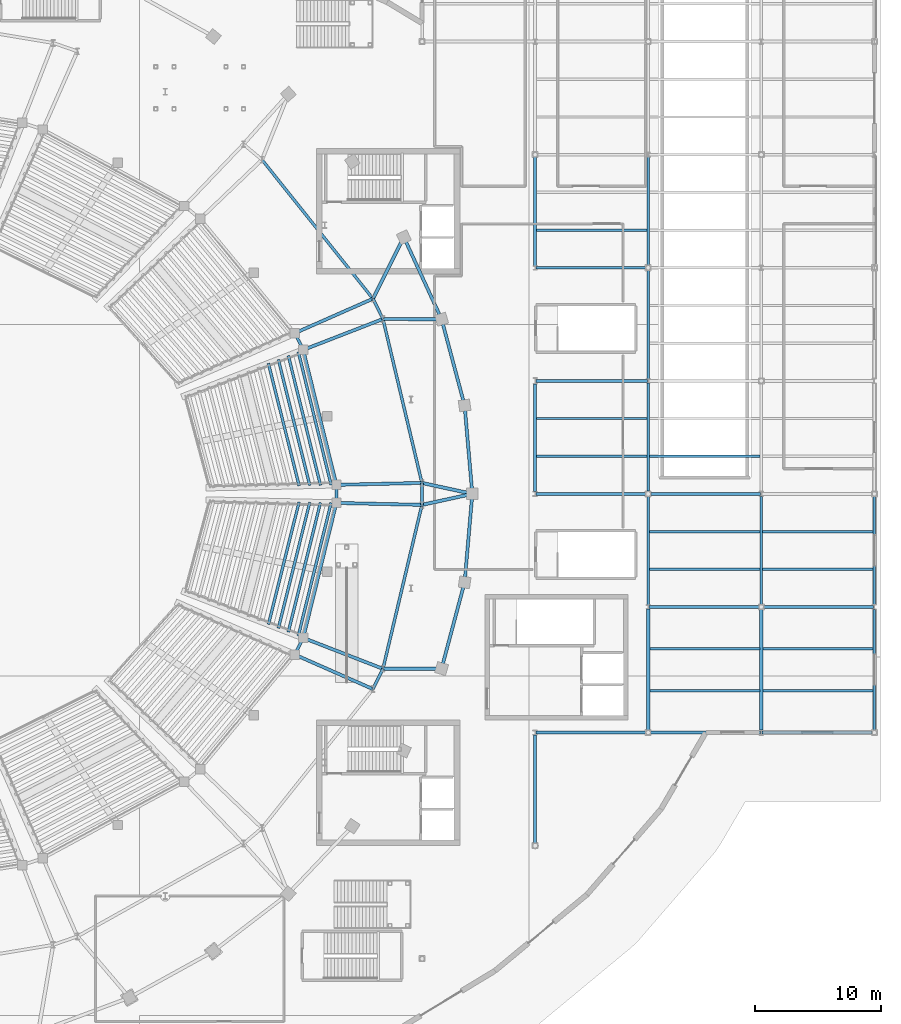
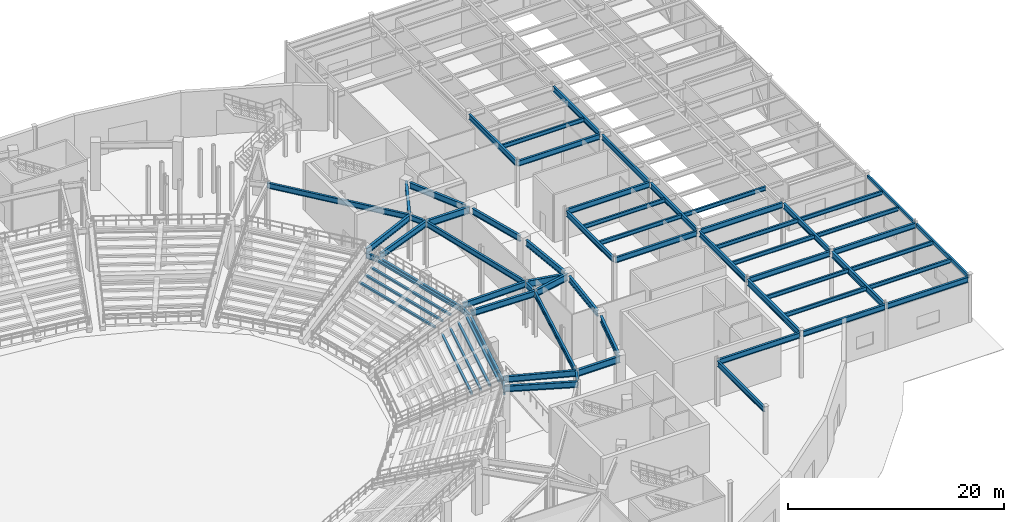
# One storey, part 38 of 79: 68 beams.
"""IFC4 building model written with IfcOpenShell, lengths in metres."""

import ifcopenshell
import ifcopenshell.guid

model = None  # the IFC model being written
_history = None  # IfcOwnerHistory: only IFC2X3 demands one
_inside = {}  # id of a spatial element -> (the spatial element, [elements in it])
_under = {}  # id of a project, library or spatial element -> (it, [spatial elements below it])
_declared = {}  # id of a project -> (the project, [libraries it declares])
_typed = {}  # id of a type object -> (the type object, [elements of that type])
_made_of = {}  # id of a material, layer set ... -> (it, [elements and type objects made of it])


def new_model(schema):
    """Start an empty IFC model of exactly this schema.

    Asked for "IFC4X3", IfcOpenShell would pick the latest addendum, in which some entities
    have other attributes; the version numbers below select the first issue.
    IFC2X3 requires an IfcOwnerHistory on every rooted entity: one is made here for all.
    """
    global model, _history
    if schema == "IFC4X3":
        model = ifcopenshell.file(schema_version=(4, 3, 0, 0))
    else:
        model = ifcopenshell.file(schema=schema)
    _inside.clear()
    _under.clear()
    _declared.clear()
    _typed.clear()
    _made_of.clear()
    _history = None
    if model.schema == "IFC2X3":
        org = make("IfcOrganization", Name="unknown")
        user = make(
            "IfcPersonAndOrganization",
            ThePerson=make("IfcPerson", FamilyName="unknown"),
            TheOrganization=org,
        )
        app = make(
            "IfcApplication",
            ApplicationDeveloper=org,
            Version="unknown",
            ApplicationFullName="unknown",
            ApplicationIdentifier="unknown",
        )
        _history = make(
            "IfcOwnerHistory",
            OwningUser=user,
            OwningApplication=app,
            ChangeAction="ADDED",
            CreationDate=0,
        )
    return model


def make(cls, **values):
    """One entity of the class cls with the attributes given. An attribute that is None is left unset."""
    return model.create_entity(
        cls, **{name: value for name, value in values.items() if value is not None}
    )


def rooted(cls, **values):
    """An entity with a GlobalId (a new one), such as an element, a storey or a relation."""
    return make(cls, GlobalId=ifcopenshell.guid.new(), OwnerHistory=_history, **values)


def si_unit(unit_type, name, prefix=None):
    """IfcSIUnit, for example si_unit("LENGTHUNIT", "METRE", prefix="MILLI")."""
    return make("IfcSIUnit", UnitType=unit_type, Prefix=prefix, Name=name)


def assignment(units):
    """IfcUnitAssignment: the units of a project."""
    return None if units is None else make("IfcUnitAssignment", Units=units)


def point(xyz):
    """IfcCartesianPoint."""
    return None if xyz is None else make("IfcCartesianPoint", Coordinates=xyz)


def direction(xyz):
    """IfcDirection."""
    return None if xyz is None else make("IfcDirection", DirectionRatios=xyz)


def frame(location, z_axis=None, x_axis=None):
    """IfcAxis2Placement3D, a coordinate frame: its origin and axes. An axis left out is left unset."""
    return make(
        "IfcAxis2Placement3D",
        Location=point(location),
        Axis=direction(z_axis),
        RefDirection=direction(x_axis),
    )


def frame_2d(location, x_axis=None):
    """IfcAxis2Placement2D, a coordinate frame in the plane: its origin and x axis."""
    return make(
        "IfcAxis2Placement2D", Location=point(location), RefDirection=direction(x_axis)
    )


def origin():
    """The frame at (0, 0, 0) with its axes left unset."""
    return frame((0.0, 0.0, 0.0))


def origin_2d():
    """The frame at (0, 0) in the plane with its x axis left unset."""
    return frame_2d((0.0, 0.0))


def place(relative_to, where):
    """IfcLocalPlacement: puts the frame where relative to a parent placement (None: the world)."""
    return make(
        "IfcLocalPlacement", PlacementRelTo=relative_to, RelativePlacement=where
    )


def context(
    kind, dimensions, precision=None, world=None, true_north=None, identifier=None
):
    """IfcGeometricRepresentationContext, for example the 3D "Model" context."""
    return make(
        "IfcGeometricRepresentationContext",
        ContextIdentifier=identifier,
        ContextType=kind,
        CoordinateSpaceDimension=dimensions,
        Precision=precision,
        WorldCoordinateSystem=world,
        TrueNorth=true_north,
    )


def subcontext(parent, identifier, kind, view, scale=None):
    """IfcGeometricRepresentationSubContext, for example "Body" below "Model"."""
    return make(
        "IfcGeometricRepresentationSubContext",
        ContextIdentifier=identifier,
        ContextType=kind,
        ParentContext=parent,
        TargetScale=scale,
        TargetView=view,
    )


def project(units=None, contexts=None):
    """IfcProject with its units and contexts."""
    return rooted(
        "IfcProject",
        Name="project",
        RepresentationContexts=contexts,
        UnitsInContext=assignment(units),
    )


def spatial(cls, under=None, at=None, **own):
    """A site, building, storey or space (cls), placed at a placement, below another one or the project."""
    s = rooted(cls, ObjectPlacement=at, **own)
    if under is not None:
        _under.setdefault(under.id(), (under, []))[1].append(s)
    return s


def profile(cls, at=None, kind="AREA", **sizes):
    """A parametric profile (cls). Its sizes go by their IFC names, for example OverallWidth=200.0."""
    return make(cls, ProfileType=kind, Position=at, **sizes)


def rectangle(**sizes):
    """IfcRectangleProfileDef."""
    return profile("IfcRectangleProfileDef", **sizes)


def hollow_rectangle(**sizes):
    """IfcRectangleHollowProfileDef."""
    return profile("IfcRectangleHollowProfileDef", **sizes)


def i_section(**sizes):
    """IfcIShapeProfileDef."""
    return profile("IfcIShapeProfileDef", **sizes)


def extrude(swept, where, along, depth):
    """IfcExtrudedAreaSolid: the profile swept, set in the frame where, extruded along a direction by depth."""
    return make(
        "IfcExtrudedAreaSolid",
        SweptArea=swept,
        Position=where,
        ExtrudedDirection=direction(along),
        Depth=depth,
    )


def shape(context_of_items, identifier, shape_type, items):
    """IfcShapeRepresentation: the items that make up one representation, for example the "Body"."""
    return make(
        "IfcShapeRepresentation",
        ContextOfItems=context_of_items,
        RepresentationIdentifier=identifier,
        RepresentationType=shape_type,
        Items=items,
    )


def material(Name=None, Category=None):
    """IfcMaterial."""
    return make("IfcMaterial", Name=Name, Category=Category)


def material_profile(
    of_material, cross_section, Name=None, Category=None, Priority=None
):
    """IfcMaterialProfile: a cross section and its material."""
    return make(
        "IfcMaterialProfile",
        Name=Name,
        Material=of_material,
        Profile=cross_section,
        Priority=Priority,
        Category=Category,
    )


def profile_set(profiles, Name=None, composite=None):
    """IfcMaterialProfileSet."""
    return make(
        "IfcMaterialProfileSet",
        Name=Name,
        MaterialProfiles=profiles,
        CompositeProfile=composite,
    )


def made_of(thing, what):
    """Note that an element or type object is made of a material, layer set ...; save() writes the relation."""
    if what is not None:
        _made_of.setdefault(what.id(), (what, []))[1].append(thing)
    return thing


def type_object(cls, material=None, **own):
    """A type object (cls), such as IfcWallType, which elements share."""
    return made_of(rooted(cls, **own), material)


def element(
    cls,
    number,
    at=None,
    inside=None,
    cuts=None,
    type_object=None,
    material=None,
    context=None,
    identifier="Body",
    shape_type=None,
    held_by="IfcProductDefinitionShape",
    body=None,
    shapes=None,
    **own,
):
    """One element of the class cls, such as IfcWall. Its Tag is "e" and its number.

    at: its placement. inside: the storey or other place that contains it. cuts: it is an
    opening in that element (IfcRelVoidsElement). A single representation is given by context,
    identifier, shape_type and body (its items); several are given by shapes. held_by: the class
    of the entity that holds the representations. save() writes the other relations.
    """
    e = rooted(cls, Tag="e%d" % number, ObjectPlacement=at, **own)
    if body is not None:
        shapes = [shape(context, identifier, shape_type, body)]
    if shapes is not None:
        e.Representation = make(held_by, Representations=shapes)
    if inside is not None:
        _inside.setdefault(inside.id(), (inside, []))[1].append(e)
    if cuts is not None:
        rooted(
            "IfcRelVoidsElement", RelatingBuildingElement=cuts, RelatedOpeningElement=e
        )
    if type_object is not None:
        _typed.setdefault(type_object.id(), (type_object, []))[1].append(e)
    return made_of(e, material)


def aggregate(whole, parts):
    """IfcRelAggregates: a whole, such as a stair, and the parts it consists of."""
    return rooted("IfcRelAggregates", RelatingObject=whole, RelatedObjects=parts)


def save(model, path):
    """Write the relations noted so far, then the file.

    IfcRelAggregates (storeys below a building ...), IfcRelContainedInSpatialStructure (elements
    in a storey), IfcRelDefinesByType, IfcRelAssociatesMaterial and IfcRelDeclares: one each for
    every whole, place, type object, material and project.
    """
    for whole, parts in _under.values():
        aggregate(whole, parts)
    for where, things in _inside.values():
        rooted(
            "IfcRelContainedInSpatialStructure",
            RelatedElements=things,
            RelatingStructure=where,
        )
    for kind, things in _typed.values():
        rooted("IfcRelDefinesByType", RelatedObjects=things, RelatingType=kind)
    for what, things in _made_of.values():
        rooted("IfcRelAssociatesMaterial", RelatedObjects=things, RelatingMaterial=what)
    for by, libraries in _declared.values():
        rooted("IfcRelDeclares", RelatingContext=by, RelatedDefinitions=libraries)
    model.write(path)


model = new_model("IFC4")

# Units and contexts
model_context = context("Model", 3, precision=1e-05, world=origin(), true_north=direction((0.0, 1.0)))
body_context = subcontext(model_context, "Body", "Model", "MODEL_VIEW")
ifc_project = project(units=[si_unit("LENGTHUNIT", "METRE"), si_unit("AREAUNIT", "SQUARE_METRE"), si_unit("VOLUMEUNIT", "CUBIC_METRE"), si_unit("PLANEANGLEUNIT", "RADIAN"), si_unit("MASSUNIT", "GRAM", prefix="KILO")], contexts=[model_context])

# Site, building, storey
site_placement = place(None, origin())
site = spatial("IfcSite", under=ifc_project, at=site_placement, CompositionType="ELEMENT")
building_placement = place(site_placement, origin())
building = spatial("IfcBuilding", under=site, at=building_placement, Name="Glasvene Arena", CompositionType="ELEMENT")
storey_placement = place(building_placement, origin())
storey = spatial("IfcBuildingStorey", under=building, at=storey_placement, Name="L00", CompositionType="ELEMENT", Elevation=0.0)

# Beams
ifc_material_1 = material(Name="Steel S355J2", Category="steel")
ifc_material_profile_1 = material_profile(ifc_material_1, i_section(OverallWidth=0.228271484375, OverallDepth=0.607666015625, WebThickness=0.010986328125, FlangeThickness=0.017333984375, FilletRadius=0.0126953125, at=origin_2d()), Name="UKB 610x229x113")
ifc_profile_set_1 = profile_set([ifc_material_profile_1], Name="Steel S355J2")
beam_type_1 = type_object("IfcBeamType", Name="BM-GIRD-610", PredefinedType="BEAM", material=ifc_profile_set_1)
for number, where, z_axis, x_axis, name in (
    (1, (147.050048828125, 54.0, 4.816162109375), (1.0, 0.0, 0.0), (0.0, 1.0, 0.0), "Primary X girder L00-0311"),
    (2, (156.1982421875, 54.0, 4.816162109375), (1.0, 0.0, 0.0), (0.0, 1.0, 0.0), "Primary X girder L00-0312"),
    (3, (165.050048828125, 54.0, 4.816162109375), (1.0, 0.0, 0.0), (0.0, 1.0, 0.0), "Primary X girder L00-0313"),
    (4, (156.050048828125, 64.0, 4.816162109375), (1.0, 0.0, 0.0), (0.0, 1.0, 0.0), "Primary X girder L00-0317"),
    (5, (165.1982421875, 64.0, 4.816162109375), (1.0, 0.0, 0.0), (0.0, 1.0, 0.0), "Primary X girder L00-0318"),
):
    element("IfcBeam", number, at=place(storey_placement, frame(where, z_axis=z_axis, x_axis=x_axis)), inside=storey, type_object=beam_type_1, Name=name, PredefinedType="BEAM", context=body_context, shape_type="SweptSolid", body=[
        extrude(i_section(OverallWidth=0.228271484375, OverallDepth=0.607666015625, WebThickness=0.010986328125, FlangeThickness=0.017333984375, FilletRadius=0.0126953125, at=origin_2d()), origin(), (0.0, 0.0, 1.0), 8.751708984375),
    ])
for number, where, z_axis, x_axis, name in (
    (6, (147.050048828125, 73.0, 4.816162109375), (1.0, 0.0, 0.0), (0.0, 1.0, 0.0), "Primary X girder L00-0322"),
    (7, (156.223388671875, 73.0, 4.816162109375), (1.0, 0.0, 0.0), (0.0, 1.0, 0.0), "Primary X girder L00-0323"),
):
    element("IfcBeam", number, at=place(storey_placement, frame(where, z_axis=z_axis, x_axis=x_axis)), inside=storey, type_object=beam_type_1, Name=name, PredefinedType="BEAM", context=body_context, shape_type="SweptSolid", body=[
        extrude(i_section(OverallWidth=0.228271484375, OverallDepth=0.607666015625, WebThickness=0.010986328125, FlangeThickness=0.017333984375, FilletRadius=0.0126953125, at=origin_2d()), origin(), (0.0, 0.0, 1.0), 8.7265625),
    ])
beam_1_placement = place(storey_placement, frame((147.050048828125, 82.0, 4.816162109375), z_axis=(1.0, 0.0, 0.0), x_axis=(0.0, 1.0, 0.0)))
element("IfcBeam", 8, at=beam_1_placement, inside=storey, type_object=beam_type_1, Name="Primary X girder L00-0325", PredefinedType="BEAM", context=body_context, shape_type="SweptSolid", body=[
    extrude(i_section(OverallWidth=0.228271484375, OverallDepth=0.607666015625, WebThickness=0.010986328125, FlangeThickness=0.017333984375, FilletRadius=0.0126953125, at=origin_2d()), origin(), (0.0, 0.0, 1.0), 8.89990234375),
])
beam_2_placement = place(storey_placement, frame((147.050048828125, 91.0, 4.816162109375), z_axis=(1.0, 0.0, 0.0), x_axis=(0.0, 1.0, 0.0)))
element("IfcBeam", 9, at=beam_2_placement, inside=storey, type_object=beam_type_1, Name="Primary X girder L00-0328", PredefinedType="BEAM", context=body_context, shape_type="SweptSolid", body=[
    extrude(i_section(OverallWidth=0.228271484375, OverallDepth=0.607666015625, WebThickness=0.010986328125, FlangeThickness=0.017333984375, FilletRadius=0.0126953125, at=origin_2d()), origin(), (0.0, 0.0, 1.0), 8.751708984375),
])
beam_3_placement = place(storey_placement, frame((147.0, 45.223388671875, 4.816162109375), z_axis=(0.0, 1.0, 0.0), x_axis=(-1.0, 0.0, 0.0)))
element("IfcBeam", 10, at=beam_3_placement, inside=storey, type_object=beam_type_1, Name="Primary Y girder L00-0398", PredefinedType="BEAM", context=body_context, shape_type="SweptSolid", body=[
    extrude(i_section(OverallWidth=0.228271484375, OverallDepth=0.607666015625, WebThickness=0.010986328125, FlangeThickness=0.017333984375, FilletRadius=0.0126953125, at=origin_2d()), origin(), (0.0, 0.0, 1.0), 8.597412109375),
])
beam_4_placement = place(storey_placement, frame((147.0, 73.17919921875, 4.816162109375), z_axis=(0.0, 1.0, 0.0), x_axis=(-1.0, 0.0, 0.0)))
element("IfcBeam", 11, at=beam_4_placement, inside=storey, type_object=beam_type_1, Name="Primary Y girder L00-0399", PredefinedType="BEAM", context=body_context, shape_type="SweptSolid", body=[
    extrude(i_section(OverallWidth=0.228271484375, OverallDepth=0.607666015625, WebThickness=0.010986328125, FlangeThickness=0.017333984375, FilletRadius=0.0126953125, at=origin_2d()), origin(), (0.0, 0.0, 1.0), 8.57568359375),
])
beam_5_placement = place(storey_placement, frame((147.0, 91.1552734375, 4.816162109375), z_axis=(0.0, 1.0, 0.0), x_axis=(-1.0, 0.0, 0.0)))
element("IfcBeam", 12, at=beam_5_placement, inside=storey, type_object=beam_type_1, Name="Primary Y girder L00-0400", PredefinedType="BEAM", context=body_context, shape_type="SweptSolid", body=[
    extrude(i_section(OverallWidth=0.228271484375, OverallDepth=0.607666015625, WebThickness=0.010986328125, FlangeThickness=0.017333984375, FilletRadius=0.0126953125, at=origin_2d()), origin(), (0.0, 0.0, 1.0), 8.646484375),
])
for number, where, z_axis, x_axis, name in (
    (13, (156.0, 64.1552734375, 4.816162109375), (0.0, 1.0, 0.0), (-1.0, 0.0, 0.0), "Primary Y girder L00-0404"),
    (14, (156.0, 73.223388671875, 4.816162109375), (0.0, 1.0, 0.0), (-1.0, 0.0, 0.0), "Primary Y girder L00-0405"),
):
    element("IfcBeam", number, at=place(storey_placement, frame(where, z_axis=z_axis, x_axis=x_axis)), inside=storey, type_object=beam_type_1, Name=name, PredefinedType="BEAM", context=body_context, shape_type="SweptSolid", body=[
        extrude(i_section(OverallWidth=0.228271484375, OverallDepth=0.607666015625, WebThickness=0.010986328125, FlangeThickness=0.017333984375, FilletRadius=0.0126953125, at=origin_2d()), origin(), (0.0, 0.0, 1.0), 8.621337890625),
    ])
beam_6_placement = place(storey_placement, frame((156.0, 82.1552734375, 4.816162109375), z_axis=(0.0, 1.0, 0.0), x_axis=(-1.0, 0.0, 0.0)))
element("IfcBeam", 15, at=beam_6_placement, inside=storey, type_object=beam_type_1, Name="Primary Y girder L00-0406", PredefinedType="BEAM", context=body_context, shape_type="SweptSolid", body=[
    extrude(i_section(OverallWidth=0.228271484375, OverallDepth=0.607666015625, WebThickness=0.010986328125, FlangeThickness=0.017333984375, FilletRadius=0.0126953125, at=origin_2d()), origin(), (0.0, 0.0, 1.0), 8.646484375),
])
for number, where, z_axis, x_axis, name in (
    (16, (156.0, 91.1982421875, 4.816162109375), (0.0, 1.0, 0.0), (-1.0, 0.0, 0.0), "Primary Y girder L00-0407"),
    (17, (165.0, 64.1982421875, 4.816162109375), (0.0, 1.0, 0.0), (-1.0, 0.0, 0.0), "Primary Y girder L00-0411"),
):
    element("IfcBeam", number, at=place(storey_placement, frame(where, z_axis=z_axis, x_axis=x_axis)), inside=storey, type_object=beam_type_1, Name=name, PredefinedType="BEAM", context=body_context, shape_type="SweptSolid", body=[
        extrude(i_section(OverallWidth=0.228271484375, OverallDepth=0.607666015625, WebThickness=0.010986328125, FlangeThickness=0.017333984375, FilletRadius=0.0126953125, at=origin_2d()), origin(), (0.0, 0.0, 1.0), 8.606689453125),
    ])
beam_7_placement = place(storey_placement, frame((137.98828125, 73.87353515625, 4.81494140625), z_axis=(-0.23122513322, 0.972900271234, 0.0), x_axis=(-0.972900271234, -0.23122513322, 0.0)))
element("IfcBeam", 18, at=beam_7_placement, inside=storey, type_object=beam_type_1, Name="Concourse inner ring girder L00-01", PredefinedType="BEAM", context=body_context, shape_type="SweptSolid", body=[
    extrude(i_section(OverallWidth=0.228271484375, OverallDepth=0.607666015625, WebThickness=0.010986328125, FlangeThickness=0.017333984375, FilletRadius=0.0126953125, at=origin_2d()), origin(), (0.0, 0.0, 1.0), 13.41259765625),
])
beam_8_placement = place(storey_placement, frame((131.18994140625, 73.71923828125, 4.35009765625), z_axis=(-0.23885804662, 0.971054495672, 0.0), x_axis=(-0.971054495672, -0.23885804662, 0.0)))
element("IfcBeam", 19, at=beam_8_placement, inside=storey, type_object=beam_type_1, Name="Mid-bowl ring girder L00-01", PredefinedType="BEAM", context=body_context, shape_type="SweptSolid", body=[
    extrude(i_section(OverallWidth=0.228271484375, OverallDepth=0.607666015625, WebThickness=0.010986328125, FlangeThickness=0.017333984375, FilletRadius=0.0126953125, at=origin_2d()), origin(), (0.0, 0.0, 1.0), 11.064453125),
])
beam_9_placement = place(storey_placement, frame((134.886962890625, 86.922607421875, 4.81494140625), z_axis=(-0.443576698242, 0.896236415672, 0.0), x_axis=(-0.896236415672, -0.443576698242, 0.0)))
element("IfcBeam", 20, at=beam_9_placement, inside=storey, type_object=beam_type_1, Name="Concourse inner ring girder L00-02", PredefinedType="BEAM", context=body_context, shape_type="SweptSolid", body=[
    extrude(i_section(OverallWidth=0.228271484375, OverallDepth=0.607666015625, WebThickness=0.010986328125, FlangeThickness=0.017333984375, FilletRadius=0.0126953125, at=origin_2d()), origin(), (0.0, 0.0, 1.0), 1.80078125),
])
beam_10_placement = place(storey_placement, frame((128.547119140625, 84.46337890625, 4.35009765625), z_axis=(-0.455825325707, 0.890069251488, 0.0), x_axis=(-0.890069251488, -0.455825325707, 0.0)))
element("IfcBeam", 21, at=beam_10_placement, inside=storey, type_object=beam_type_1, Name="Mid-bowl ring girder L00-02", PredefinedType="BEAM", context=body_context, shape_type="SweptSolid", body=[
    extrude(i_section(OverallWidth=0.228271484375, OverallDepth=0.607666015625, WebThickness=0.010986328125, FlangeThickness=0.017333984375, FilletRadius=0.0126953125, at=origin_2d()), origin(), (0.0, 0.0, 1.0), 1.4931640625),
])
beam_11_placement = place(storey_placement, frame((134.088134765625, 88.53662109375, 4.81494140625), z_axis=(-0.623899670594, 0.781504447226, 0.0), x_axis=(-0.781504447226, -0.623899670594, 0.0)))
element("IfcBeam", 22, at=beam_11_placement, inside=storey, type_object=beam_type_1, Name="Concourse inner ring girder L00-03", PredefinedType="BEAM", context=body_context, shape_type="SweptSolid", body=[
    extrude(i_section(OverallWidth=0.228271484375, OverallDepth=0.607666015625, WebThickness=0.010986328125, FlangeThickness=0.017333984375, FilletRadius=0.0126953125, at=origin_2d()), origin(), (0.0, 0.0, 1.0), 14.1552734375),
])
beam_12_placement = place(storey_placement, frame((134.088134765625, 57.46337890625, 4.81494140625), z_axis=(0.443576698242, 0.896236415672, 0.0), x_axis=(-0.896236415672, 0.443576698242, 0.0)))
element("IfcBeam", 23, at=beam_12_placement, inside=storey, type_object=beam_type_1, Name="Concourse inner ring girder L00-30", PredefinedType="BEAM", context=body_context, shape_type="SweptSolid", body=[
    extrude(i_section(OverallWidth=0.228271484375, OverallDepth=0.607666015625, WebThickness=0.010986328125, FlangeThickness=0.017333984375, FilletRadius=0.0126953125, at=origin_2d()), origin(), (0.0, 0.0, 1.0), 1.80078125),
])
beam_13_placement = place(storey_placement, frame((127.866455078125, 60.20751953125, 4.35009765625), z_axis=(0.455825325707, 0.890069251488, 0.0), x_axis=(-0.890069251488, 0.455825325707, 0.0)))
element("IfcBeam", 24, at=beam_13_placement, inside=storey, type_object=beam_type_1, Name="Mid-bowl ring girder L00-30", PredefinedType="BEAM", context=body_context, shape_type="SweptSolid", body=[
    extrude(i_section(OverallWidth=0.228271484375, OverallDepth=0.607666015625, WebThickness=0.010986328125, FlangeThickness=0.017333984375, FilletRadius=0.0126953125, at=origin_2d()), origin(), (0.0, 0.0, 1.0), 1.4931640625),
])
beam_14_placement = place(storey_placement, frame((134.886962890625, 59.077392578125, 4.81494140625), z_axis=(0.23122513322, 0.972900271234, 0.0), x_axis=(-0.972900271234, 0.23122513322, 0.0)))
element("IfcBeam", 25, at=beam_14_placement, inside=storey, type_object=beam_type_1, Name="Concourse inner ring girder L00-31", PredefinedType="BEAM", context=body_context, shape_type="SweptSolid", body=[
    extrude(i_section(OverallWidth=0.228271484375, OverallDepth=0.607666015625, WebThickness=0.010986328125, FlangeThickness=0.017333984375, FilletRadius=0.0126953125, at=origin_2d()), origin(), (0.0, 0.0, 1.0), 13.41259765625),
])
beam_15_placement = place(storey_placement, frame((128.547119140625, 61.53662109375, 4.35009765625), z_axis=(0.23885804662, 0.971054495672, 0.0), x_axis=(-0.971054495672, 0.23885804662, 0.0)))
element("IfcBeam", 26, at=beam_15_placement, inside=storey, type_object=beam_type_1, Name="Mid-bowl ring girder L00-31", PredefinedType="BEAM", context=body_context, shape_type="SweptSolid", body=[
    extrude(i_section(OverallWidth=0.228271484375, OverallDepth=0.607666015625, WebThickness=0.010986328125, FlangeThickness=0.017333984375, FilletRadius=0.0126953125, at=origin_2d()), origin(), (0.0, 0.0, 1.0), 11.064453125),
])
beam_16_placement = place(storey_placement, frame((137.98828125, 72.12646484375, 4.81494140625), z_axis=(0.0, 1.0, 0.0), x_axis=(-1.0, 0.0, 0.0)))
element("IfcBeam", 27, at=beam_16_placement, inside=storey, type_object=beam_type_1, Name="Concourse inner ring girder L00-32", PredefinedType="BEAM", context=body_context, shape_type="SweptSolid", body=[
    extrude(i_section(OverallWidth=0.228271484375, OverallDepth=0.607666015625, WebThickness=0.010986328125, FlangeThickness=0.017333984375, FilletRadius=0.0126953125, at=origin_2d()), origin(), (0.0, 0.0, 1.0), 1.7470703125),
])
beam_17_placement = place(storey_placement, frame((131.18994140625, 72.28076171875, 4.35009765625), z_axis=(0.0, 1.0, 0.0), x_axis=(-1.0, 0.0, 0.0)))
element("IfcBeam", 28, at=beam_17_placement, inside=storey, type_object=beam_type_1, Name="Mid-bowl ring girder L00-32", PredefinedType="BEAM", context=body_context, shape_type="SweptSolid", body=[
    extrude(i_section(OverallWidth=0.228271484375, OverallDepth=0.607666015625, WebThickness=0.010986328125, FlangeThickness=0.017333984375, FilletRadius=0.0126953125, at=origin_2d()), origin(), (0.0, 0.0, 1.0), 1.4384765625),
])
ifc_material_profile_2 = material_profile(ifc_material_1, i_section(OverallWidth=0.253662109375, OverallDepth=0.68359375, WebThickness=0.012451171875, FlangeThickness=0.01904296875, FilletRadius=0.01513671875, at=origin_2d()), Name="UKB 686x254x140")
ifc_profile_set_2 = profile_set([ifc_material_profile_2], Name="Steel S355J2")
beam_type_2 = type_object("IfcBeamType", Name="BM-GIRD-686", PredefinedType="BEAM", material=ifc_profile_set_2)
beam_18_placement = place(storey_placement, frame((156.0, 54.1982421875, 4.7783203125), z_axis=(0.0, 1.0, 0.0), x_axis=(-1.0, 0.0, 0.0)))
element("IfcBeam", 29, at=beam_18_placement, inside=storey, type_object=beam_type_2, Name="Primary Y girder L00-0403", PredefinedType="BEAM", context=body_context, shape_type="SweptSolid", body=[
    extrude(i_section(OverallWidth=0.253662109375, OverallDepth=0.68359375, WebThickness=0.012451171875, FlangeThickness=0.01904296875, FilletRadius=0.01513671875, at=origin_2d()), origin(), (0.0, 0.0, 1.0), 9.646484375),
])
beam_19_placement = place(storey_placement, frame((165.0, 54.195068359375, 4.7783203125), z_axis=(0.0, 1.0, 0.0), x_axis=(-1.0, 0.0, 0.0)))
element("IfcBeam", 30, at=beam_19_placement, inside=storey, type_object=beam_type_2, Name="Primary Y girder L00-0410", PredefinedType="BEAM", context=body_context, shape_type="SweptSolid", body=[
    extrude(i_section(OverallWidth=0.253662109375, OverallDepth=0.68359375, WebThickness=0.012451171875, FlangeThickness=0.01904296875, FilletRadius=0.01513671875, at=origin_2d()), origin(), (0.0, 0.0, 1.0), 9.606689453125),
])
beam_20_placement = place(storey_placement, frame((141.96337890625, 73.41845703125, 4.7783203125), z_axis=(-0.087127064211, 0.996197206723, 0.0), x_axis=(-0.996197206723, -0.087127064211, 0.0)))
element("IfcBeam", 31, at=beam_20_placement, inside=storey, type_object=beam_type_2, Name="Bowl ring chord beam L00-01", PredefinedType="BEAM", context=body_context, shape_type="SweptSolid", body=[
    extrude(i_section(OverallWidth=0.253662109375, OverallDepth=0.68359375, WebThickness=0.012451171875, FlangeThickness=0.01904296875, FilletRadius=0.01513671875, at=origin_2d()), origin(), (0.0, 0.0, 1.0), 6.226318359375),
])
beam_21_placement = place(storey_placement, frame((141.276123046875, 80.4453125, 4.7783203125), z_axis=(-0.257723273136, 0.966218771544, 0.0), x_axis=(-0.966218771544, -0.257723273136, 0.0)))
element("IfcBeam", 32, at=beam_21_placement, inside=storey, type_object=beam_type_2, Name="Bowl ring chord beam L00-02", PredefinedType="BEAM", context=body_context, shape_type="SweptSolid", body=[
    extrude(i_section(OverallWidth=0.253662109375, OverallDepth=0.68359375, WebThickness=0.012451171875, FlangeThickness=0.01904296875, FilletRadius=0.01513671875, at=origin_2d()), origin(), (0.0, 0.0, 1.0), 6.266357421875),
])
beam_22_placement = place(storey_placement, frame((139.377197265625, 87.287353515625, 4.7783203125), z_axis=(-0.418091163951, 0.908405074087, 0.0), x_axis=(-0.908405074087, -0.418091163951, 0.0)))
element("IfcBeam", 33, at=beam_22_placement, inside=storey, type_object=beam_type_2, Name="Bowl ring chord beam L00-03", PredefinedType="BEAM", context=body_context, shape_type="SweptSolid", body=[
    extrude(i_section(OverallWidth=0.253662109375, OverallDepth=0.68359375, WebThickness=0.012451171875, FlangeThickness=0.01904296875, FilletRadius=0.01513671875, at=origin_2d()), origin(), (0.0, 0.0, 1.0), 6.341552734375),
])
beam_23_placement = place(storey_placement, frame((139.6611328125, 59.5, 4.7783203125), z_axis=(0.257723273136, 0.966218771544, 0.0), x_axis=(-0.966218771544, 0.257723273136, 0.0)))
element("IfcBeam", 34, at=beam_23_placement, inside=storey, type_object=beam_type_2, Name="Bowl ring chord beam L00-39", PredefinedType="BEAM", context=body_context, shape_type="SweptSolid", body=[
    extrude(i_section(OverallWidth=0.253662109375, OverallDepth=0.68359375, WebThickness=0.012451171875, FlangeThickness=0.01904296875, FilletRadius=0.01513671875, at=origin_2d()), origin(), (0.0, 0.0, 1.0), 6.266357421875),
])
beam_24_placement = place(storey_placement, frame((141.4208984375, 66.37890625, 4.7783203125), z_axis=(0.087127064211, 0.996197206723, 0.0), x_axis=(-0.996197206723, 0.087127064211, 0.0)))
element("IfcBeam", 35, at=beam_24_placement, inside=storey, type_object=beam_type_2, Name="Bowl ring chord beam L00-40", PredefinedType="BEAM", context=body_context, shape_type="SweptSolid", body=[
    extrude(i_section(OverallWidth=0.253662109375, OverallDepth=0.68359375, WebThickness=0.012451171875, FlangeThickness=0.01904296875, FilletRadius=0.01513671875, at=origin_2d()), origin(), (0.0, 0.0, 1.0), 6.226318359375),
])
for number, where, z_axis, x_axis, name in (
    (36, (131.18994140625, 73.71923828125, 4.7783203125), (0.9997425394, 0.022690414598, 0.0), (-0.022690414598, 0.9997425394, 0.0), "Mid-to-rear radial girder L00-01"),
    (37, (128.547119140625, 84.46337890625, 4.7783203125), (0.932315610983, 0.361645685052, 0.0), (-0.361645685052, 0.932315610983, 0.0), "Mid-to-rear radial girder L00-02"),
    (38, (127.866455078125, 85.79248046875, 4.7783203125), (0.914956794247, 0.40355181162, 0.0), (-0.40355181162, 0.914956794247, 0.0), "Mid-to-rear radial girder L00-03"),
    (39, (127.866455078125, 60.20751953125, 4.7783203125), (0.914956794247, -0.40355181162, 0.0), (0.40355181162, 0.914956794247, 0.0), "Mid-to-rear radial girder L00-30"),
    (40, (128.547119140625, 61.53662109375, 4.7783203125), (0.932315610983, -0.361645685052, 0.0), (0.361645685052, 0.932315610983, 0.0), "Mid-to-rear radial girder L00-31"),
    (41, (131.18994140625, 72.28076171875, 4.7783203125), (0.9997425394, -0.022690414598, 0.0), (0.022690414598, 0.9997425394, 0.0), "Mid-to-rear radial girder L00-32"),
):
    element("IfcBeam", number, at=place(storey_placement, frame(where, z_axis=z_axis, x_axis=x_axis)), inside=storey, type_object=beam_type_2, Name=name, PredefinedType="BEAM", context=body_context, shape_type="SweptSolid", body=[
        extrude(i_section(OverallWidth=0.253662109375, OverallDepth=0.68359375, WebThickness=0.012451171875, FlangeThickness=0.01904296875, FilletRadius=0.01513671875, at=origin_2d()), origin(), (0.0, 0.0, 1.0), 6.800048828125),
    ])
ifc_material_profile_3 = material_profile(ifc_material_1, i_section(OverallWidth=0.2666015625, OverallDepth=0.76220703125, WebThickness=0.014404296875, FlangeThickness=0.021484375, FilletRadius=0.0166015625, at=origin_2d()), Name="UKB 762x267x173")
ifc_profile_set_3 = profile_set([ifc_material_profile_3], Name="Steel S355J2")
beam_type_3 = type_object("IfcBeamType", Name="BM-GIRD-762", PredefinedType="BEAM", material=ifc_profile_set_3)
beam_25_placement = place(storey_placement, frame((137.98828125, 73.87353515625, 4.739013671875), z_axis=(0.977104393575, -0.212760438182, 0.0), x_axis=(0.212760438182, 0.977104393575, 0.0)))
element("IfcBeam", 42, at=beam_25_placement, inside=storey, type_object=beam_type_3, Name="Radial concourse girder L00-01", PredefinedType="BEAM", context=body_context, shape_type="SweptSolid", body=[
    extrude(i_section(OverallWidth=0.2666015625, OverallDepth=0.76220703125, WebThickness=0.014404296875, FlangeThickness=0.021484375, FilletRadius=0.0166015625, at=origin_2d()), origin(), (0.0, 0.0, 1.0), 4.105712890625),
])
beam_26_placement = place(storey_placement, frame((134.886962890625, 86.922607421875, 4.739013671875), z_axis=(0.999993482259, -0.003610462575, 0.0), x_axis=(0.003610462575, 0.999993482259, 0.0)))
element("IfcBeam", 43, at=beam_26_placement, inside=storey, type_object=beam_type_3, Name="Radial concourse girder L00-02", PredefinedType="BEAM", context=body_context, shape_type="SweptSolid", body=[
    extrude(i_section(OverallWidth=0.2666015625, OverallDepth=0.76220703125, WebThickness=0.014404296875, FlangeThickness=0.021484375, FilletRadius=0.0166015625, at=origin_2d()), origin(), (0.0, 0.0, 1.0), 4.665771484375),
])
beam_27_placement = place(storey_placement, frame((134.088134765625, 88.53662109375, 4.739013671875), z_axis=(0.449494152887, 0.893283273391, 0.0), x_axis=(-0.893283273391, 0.449494152887, 0.0)))
element("IfcBeam", 44, at=beam_27_placement, inside=storey, type_object=beam_type_3, Name="Radial concourse girder L00-03", PredefinedType="BEAM", context=body_context, shape_type="SweptSolid", body=[
    extrude(i_section(OverallWidth=0.2666015625, OverallDepth=0.76220703125, WebThickness=0.014404296875, FlangeThickness=0.021484375, FilletRadius=0.0166015625, at=origin_2d()), origin(), (0.0, 0.0, 1.0), 5.4775390625),
])
beam_28_placement = place(storey_placement, frame((134.886962890625, 59.077392578125, 4.739013671875), z_axis=(0.999993482259, 0.003610462575, 0.0), x_axis=(-0.003610462575, 0.999993482259, 0.0)))
element("IfcBeam", 45, at=beam_28_placement, inside=storey, type_object=beam_type_3, Name="Radial concourse girder L00-31", PredefinedType="BEAM", context=body_context, shape_type="SweptSolid", body=[
    extrude(i_section(OverallWidth=0.2666015625, OverallDepth=0.76220703125, WebThickness=0.014404296875, FlangeThickness=0.021484375, FilletRadius=0.0166015625, at=origin_2d()), origin(), (0.0, 0.0, 1.0), 4.665771484375),
])
beam_29_placement = place(storey_placement, frame((137.98828125, 72.12646484375, 4.739013671875), z_axis=(0.977104393575, 0.212760438182, 0.0), x_axis=(-0.212760438182, 0.977104393575, 0.0)))
element("IfcBeam", 46, at=beam_29_placement, inside=storey, type_object=beam_type_3, Name="Radial concourse girder L00-32", PredefinedType="BEAM", context=body_context, shape_type="SweptSolid", body=[
    extrude(i_section(OverallWidth=0.2666015625, OverallDepth=0.76220703125, WebThickness=0.014404296875, FlangeThickness=0.021484375, FilletRadius=0.0166015625, at=origin_2d()), origin(), (0.0, 0.0, 1.0), 4.105712890625),
])
ifc_material_profile_4 = material_profile(ifc_material_1, i_section(OverallWidth=0.1904296875, OverallDepth=0.45703125, WebThickness=0.009033203125, FlangeThickness=0.014404296875, FilletRadius=0.01025390625, at=origin_2d()), Name="UKB 457x191x74")
ifc_profile_set_4 = profile_set([ifc_material_profile_4], Name="Steel S355J2")
beam_type_4 = type_object("IfcBeamType", Name="BM-JOIST-457", PredefinedType="JOIST", material=ifc_profile_set_4)
for number, where, z_axis, x_axis, name in (
    (47, (147.110107421875, 76.0, 4.8916015625), (1.0, 0.0, 0.0), (0.0, 1.0, 0.0), "Composite floor joist L00-0486"),
    (48, (147.110107421875, 79.0, 4.8916015625), (1.0, 0.0, 0.0), (0.0, 1.0, 0.0), "Composite floor joist L00-0487"),
    (49, (147.110107421875, 94.0, 4.8916015625), (1.0, 0.0, 0.0), (0.0, 1.0, 0.0), "Composite floor joist L00-0488"),
):
    element("IfcBeam", number, at=place(storey_placement, frame(where, z_axis=z_axis, x_axis=x_axis)), inside=storey, type_object=beam_type_4, Name=name, PredefinedType="JOIST", context=body_context, shape_type="SweptSolid", body=[
        extrude(i_section(OverallWidth=0.1904296875, OverallDepth=0.45703125, WebThickness=0.009033203125, FlangeThickness=0.014404296875, FilletRadius=0.01025390625, at=origin_2d()), origin(), (0.0, 0.0, 1.0), 8.77978515625),
    ])
for number, where, z_axis, x_axis, name in (
    (50, (156.122802734375, 57.333251953125, 4.8916015625), (1.0, 0.0, 0.0), (0.0, 1.0, 0.0), "Composite floor joist L00-0494"),
    (51, (156.122802734375, 60.666748046875, 4.8916015625), (1.0, 0.0, 0.0), (0.0, 1.0, 0.0), "Composite floor joist L00-0495"),
):
    element("IfcBeam", number, at=place(storey_placement, frame(where, z_axis=z_axis, x_axis=x_axis)), inside=storey, type_object=beam_type_4, Name=name, PredefinedType="JOIST", context=body_context, shape_type="SweptSolid", body=[
        extrude(i_section(OverallWidth=0.1904296875, OverallDepth=0.45703125, WebThickness=0.009033203125, FlangeThickness=0.014404296875, FilletRadius=0.01025390625, at=origin_2d()), origin(), (0.0, 0.0, 1.0), 8.75439453125),
    ])
for number, where, z_axis, x_axis, name in (
    (52, (156.110107421875, 67.0, 4.8916015625), (1.0, 0.0, 0.0), (0.0, 1.0, 0.0), "Composite floor joist L00-0496"),
    (53, (156.110107421875, 70.0, 4.8916015625), (1.0, 0.0, 0.0), (0.0, 1.0, 0.0), "Composite floor joist L00-0497"),
    (54, (156.110107421875, 76.0, 4.8916015625), (1.0, 0.0, 0.0), (0.0, 1.0, 0.0), "Composite floor joist L00-0498"),
):
    element("IfcBeam", number, at=place(storey_placement, frame(where, z_axis=z_axis, x_axis=x_axis)), inside=storey, type_object=beam_type_4, Name=name, PredefinedType="JOIST", context=body_context, shape_type="SweptSolid", body=[
        extrude(i_section(OverallWidth=0.1904296875, OverallDepth=0.45703125, WebThickness=0.009033203125, FlangeThickness=0.014404296875, FilletRadius=0.01025390625, at=origin_2d()), origin(), (0.0, 0.0, 1.0), 8.77978515625),
    ])
for number, where, z_axis, x_axis, name in (
    (55, (165.122802734375, 57.333251953125, 4.8916015625), (1.0, 0.0, 0.0), (0.0, 1.0, 0.0), "Composite floor joist L00-0508"),
    (56, (165.122802734375, 60.666748046875, 4.8916015625), (1.0, 0.0, 0.0), (0.0, 1.0, 0.0), "Composite floor joist L00-0509"),
):
    element("IfcBeam", number, at=place(storey_placement, frame(where, z_axis=z_axis, x_axis=x_axis)), inside=storey, type_object=beam_type_4, Name=name, PredefinedType="JOIST", context=body_context, shape_type="SweptSolid", body=[
        extrude(i_section(OverallWidth=0.1904296875, OverallDepth=0.45703125, WebThickness=0.009033203125, FlangeThickness=0.014404296875, FilletRadius=0.01025390625, at=origin_2d()), origin(), (0.0, 0.0, 1.0), 8.78125),
    ])
for number, where, z_axis, x_axis, name in (
    (57, (165.110107421875, 67.0, 4.8916015625), (1.0, 0.0, 0.0), (0.0, 1.0, 0.0), "Composite floor joist L00-0510"),
    (58, (165.110107421875, 70.0, 4.8916015625), (1.0, 0.0, 0.0), (0.0, 1.0, 0.0), "Composite floor joist L00-0511"),
):
    element("IfcBeam", number, at=place(storey_placement, frame(where, z_axis=z_axis, x_axis=x_axis)), inside=storey, type_object=beam_type_4, Name=name, PredefinedType="JOIST", context=body_context, shape_type="SweptSolid", body=[
        extrude(i_section(OverallWidth=0.1904296875, OverallDepth=0.45703125, WebThickness=0.009033203125, FlangeThickness=0.014404296875, FilletRadius=0.01025390625, at=origin_2d()), origin(), (0.0, 0.0, 1.0), 8.7939453125),
    ])
ifc_material_profile_5 = material_profile(ifc_material_1, hollow_rectangle(XDim=0.199951171875, YDim=0.300048828125, WallThickness=0.012451171875, at=origin_2d()), Name="RHS 300x200x12.5")
ifc_profile_set_5 = profile_set([ifc_material_profile_5], Name="Steel S355J2")
beam_type_5 = type_object("IfcBeamType", Name="BM-SPAND-300", PredefinedType="SPANDREL", material=ifc_profile_set_5)
beam_30_placement = place(storey_placement, frame((174.0, 64.195068359375, 4.969970703125), z_axis=(0.0, 1.0, 0.0), x_axis=(-1.0, 0.0, 0.0)))
element("IfcBeam", 59, at=beam_30_placement, inside=storey, type_object=beam_type_5, Name="Primary Y girder L00-0418", PredefinedType="SPANDREL", context=body_context, shape_type="SweptSolid", body=[
    extrude(hollow_rectangle(XDim=0.199951171875, YDim=0.300048828125, WallThickness=0.012451171875, at=origin_2d()), origin(), (0.0, 0.0, 1.0), 8.606689453125),
])
ifc_material_profile_6 = material_profile(ifc_material_1, hollow_rectangle(XDim=0.199951171875, YDim=0.39990234375, WallThickness=0.01611328125, at=origin_2d()), Name="RHS 400x200x16.0")
ifc_profile_set_6 = profile_set([ifc_material_profile_6], Name="Steel S355J2")
beam_type_6 = type_object("IfcBeamType", Name="BM-SPAND-400", PredefinedType="SPANDREL", material=ifc_profile_set_6)
beam_31_placement = place(storey_placement, frame((174.0, 54.1982421875, 4.919921875), z_axis=(0.0, 1.0, 0.0), x_axis=(-1.0, 0.0, 0.0)))
element("IfcBeam", 60, at=beam_31_placement, inside=storey, type_object=beam_type_6, Name="Primary Y girder L00-0417", PredefinedType="SPANDREL", context=body_context, shape_type="SweptSolid", body=[
    extrude(hollow_rectangle(XDim=0.199951171875, YDim=0.39990234375, WallThickness=0.01611328125, at=origin_2d()), origin(), (0.0, 0.0, 1.0), 9.606689453125),
])
ifc_material_2 = material(Name="Precast concrete C50/60", Category="concrete")
ifc_material_profile_7 = material_profile(ifc_material_2, rectangle(XDim=0.219970703125, YDim=0.219970703125, at=origin_2d()), Name="RC 220x220")
ifc_profile_set_7 = profile_set([ifc_material_profile_7], Name="Precast concrete C50/60")
beam_type_7 = type_object("IfcBeamType", Name="BM-TIER-BEARER", PredefinedType="BEAM", material=ifc_profile_set_7)
beam_32_placement = place(storey_placement, frame((128.210693359375, 73.651611328125, 3.465087890625), z_axis=(-0.243313996055, 0.969947575554, 0.0), x_axis=(-0.969947575554, -0.243313996055, 0.0)))
element("IfcBeam", 61, at=beam_32_placement, inside=storey, type_object=beam_type_7, Name="Lower tier precast row bearer 01-R09", PredefinedType="BEAM", context=body_context, shape_type="SweptSolid", body=[
    extrude(rectangle(XDim=0.219970703125, YDim=0.219970703125, at=origin_2d()), origin(), (0.0, 0.0, 1.0), 10.035888671875),
])
beam_33_placement = place(storey_placement, frame((129.060546875, 73.6708984375, 3.844970703125), z_axis=(-0.241962754924, 0.970285537988, 0.0), x_axis=(-0.970285537988, -0.241962754924, 0.0)))
element("IfcBeam", 62, at=beam_33_placement, inside=storey, type_object=beam_type_7, Name="Lower tier precast row bearer 01-R10", PredefinedType="BEAM", context=body_context, shape_type="SweptSolid", body=[
    extrude(rectangle(XDim=0.219970703125, YDim=0.219970703125, at=origin_2d()), origin(), (0.0, 0.0, 1.0), 10.3291015625),
])
beam_34_placement = place(storey_placement, frame((129.91015625, 73.690185546875, 4.22509765625), z_axis=(-0.240658648466, 0.970609816002, 0.0), x_axis=(-0.970609816002, -0.240658648466, 0.0)))
element("IfcBeam", 63, at=beam_34_placement, inside=storey, type_object=beam_type_7, Name="Lower tier precast row bearer 01-R11", PredefinedType="BEAM", context=body_context, shape_type="SweptSolid", body=[
    extrude(rectangle(XDim=0.219970703125, YDim=0.219970703125, at=origin_2d()), origin(), (0.0, 0.0, 1.0), 10.62255859375),
])
beam_35_placement = place(storey_placement, frame((130.760009765625, 73.70947265625, 4.60498046875), z_axis=(-0.239440122271, 0.970911132827, 0.0), x_axis=(-0.970911132827, -0.239440122271, 0.0)))
element("IfcBeam", 64, at=beam_35_placement, inside=storey, type_object=beam_type_7, Name="Lower tier precast row bearer 01-R12", PredefinedType="BEAM", context=body_context, shape_type="SweptSolid", body=[
    extrude(rectangle(XDim=0.219970703125, YDim=0.219970703125, at=origin_2d()), origin(), (0.0, 0.0, 1.0), 10.916259765625),
])
beam_36_placement = place(storey_placement, frame((125.768798828125, 62.614013671875, 3.465087890625), z_axis=(0.243313996055, 0.969947575554, 0.0), x_axis=(-0.969947575554, 0.243313996055, 0.0)))
element("IfcBeam", 65, at=beam_36_placement, inside=storey, type_object=beam_type_7, Name="Lower tier precast row bearer 16-R09", PredefinedType="BEAM", context=body_context, shape_type="SweptSolid", body=[
    extrude(rectangle(XDim=0.219970703125, YDim=0.219970703125, at=origin_2d()), origin(), (0.0, 0.0, 1.0), 10.035888671875),
])
beam_37_placement = place(storey_placement, frame((126.561279296875, 62.306884765625, 3.844970703125), z_axis=(0.241962754924, 0.970285537988, 0.0), x_axis=(-0.970285537988, 0.241962754924, 0.0)))
element("IfcBeam", 66, at=beam_37_placement, inside=storey, type_object=beam_type_7, Name="Lower tier precast row bearer 16-R10", PredefinedType="BEAM", context=body_context, shape_type="SweptSolid", body=[
    extrude(rectangle(XDim=0.219970703125, YDim=0.219970703125, at=origin_2d()), origin(), (0.0, 0.0, 1.0), 10.3291015625),
])
beam_38_placement = place(storey_placement, frame((127.353759765625, 61.99951171875, 4.22509765625), z_axis=(0.240658648466, 0.970609816002, 0.0), x_axis=(-0.970609816002, 0.240658648466, 0.0)))
element("IfcBeam", 67, at=beam_38_placement, inside=storey, type_object=beam_type_7, Name="Lower tier precast row bearer 16-R11", PredefinedType="BEAM", context=body_context, shape_type="SweptSolid", body=[
    extrude(rectangle(XDim=0.219970703125, YDim=0.219970703125, at=origin_2d()), origin(), (0.0, 0.0, 1.0), 10.62255859375),
])
beam_39_placement = place(storey_placement, frame((128.146240234375, 61.69189453125, 4.60498046875), z_axis=(0.239440122271, 0.970911132827, 0.0), x_axis=(-0.970911132827, 0.239440122271, 0.0)))
element("IfcBeam", 68, at=beam_39_placement, inside=storey, type_object=beam_type_7, Name="Lower tier precast row bearer 16-R12", PredefinedType="BEAM", context=body_context, shape_type="SweptSolid", body=[
    extrude(rectangle(XDim=0.219970703125, YDim=0.219970703125, at=origin_2d()), origin(), (0.0, 0.0, 1.0), 10.916259765625),
])

save(model, "model.ifc")
